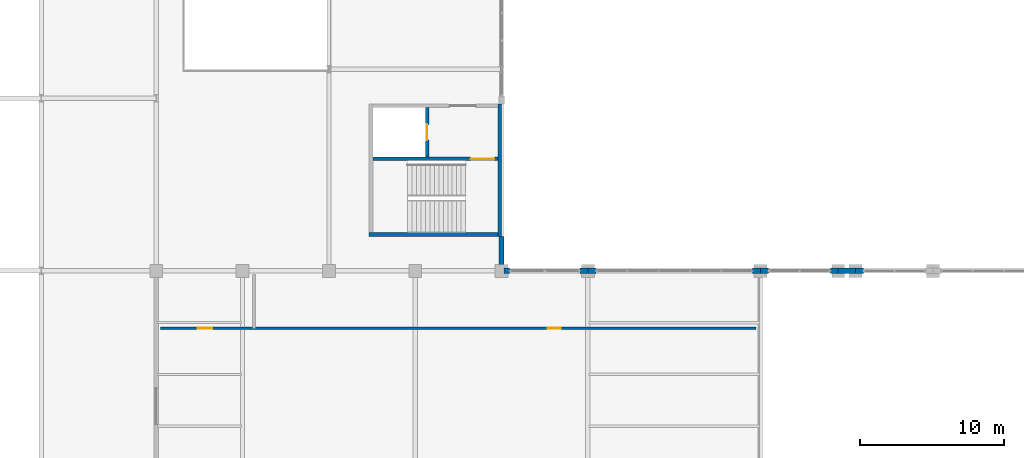
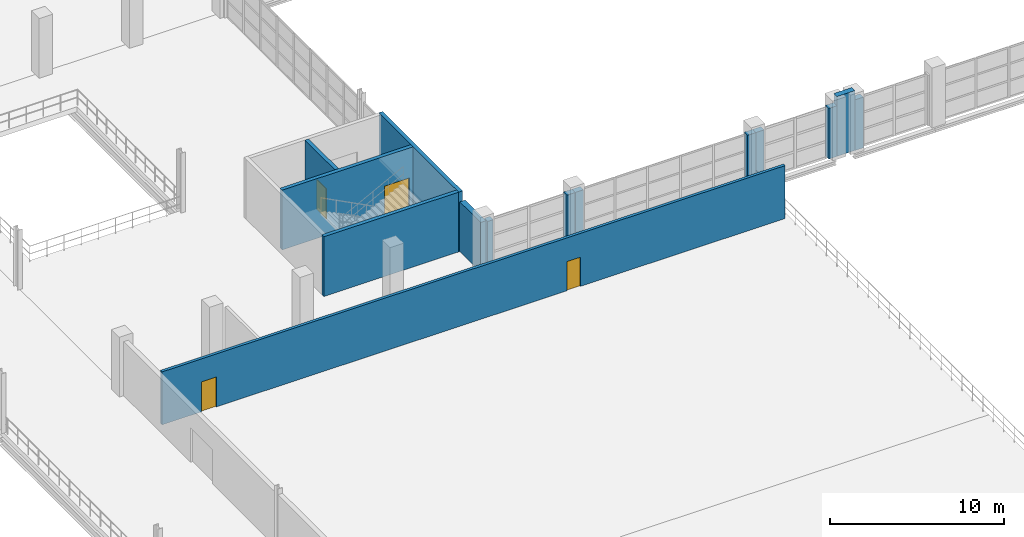
# One storey, part 140 of 158: 14 walls, 4 doors, 4 openings.
"""IFC4 building model written with IfcOpenShell, lengths in metres."""

from ifc_helpers import new_model, si_unit, direction, frame, frame_2d, origin, place, context, subcontext, project, spatial, rectangle, extrude, material, layer, layer_set, type_object, element, fill, save


model = new_model("IFC4")

# Units and contexts
model_context = context("Model", 3, precision=1e-05, world=origin(), true_north=direction((0.0, 1.0)))
body_context = subcontext(model_context, "Body", "Model", "MODEL_VIEW")
ifc_project = project(units=[si_unit("LENGTHUNIT", "METRE"), si_unit("AREAUNIT", "SQUARE_METRE"), si_unit("VOLUMEUNIT", "CUBIC_METRE"), si_unit("PLANEANGLEUNIT", "RADIAN"), si_unit("MASSUNIT", "GRAM", prefix="KILO")], contexts=[model_context])

# Site, building, storey
site_placement = place(None, origin())
site = spatial("IfcSite", under=ifc_project, at=site_placement, CompositionType="ELEMENT")
building_placement = place(site_placement, origin())
building = spatial("IfcBuilding", under=site, at=building_placement, Name="Zilviju Railside Exhibition Hall", CompositionType="ELEMENT")
storey_placement = place(building_placement, frame((0.0, 0.0, 4.199951171875)))
storey = spatial("IfcBuildingStorey", under=building, at=storey_placement, Name="L02", CompositionType="ELEMENT", Elevation=4.199951171875)

# Wall
ifc_material_1 = material(Name="Concrete C35/45", Category="concrete")
ifc_layer_1 = layer(ifc_material_1, 0.25)
ifc_layer_set_1 = layer_set([ifc_layer_1], Name="Concrete C35/45")
wall_type_1 = type_object("IfcWallType", Name="WL-CORE-250", PredefinedType="SHEAR", material=ifc_layer_set_1)
wall_1_placement = place(storey_placement, frame((102.0, 56.52490234375, 0.0), z_axis=(0.0, 0.0, 1.0), x_axis=(-1.0, 0.0, 0.0)))
element("IfcWall", 1, at=wall_1_placement, inside=storey, type_object=wall_type_1, Name="Core C10 Winter Concourse Court Stairwell Outer Wall L02", PredefinedType="SHEAR", context=body_context, shape_type="SweptSolid", body=[
    extrude(rectangle(XDim=9.199951171875, YDim=0.25, at=frame_2d((4.60009765625, 0.0))), origin(), (0.0, 0.0, 1.0), 4.199951171875),
])

# Wall, opening, door
wall_2_placement = place(storey_placement, frame((101.75, 61.77490234375, 0.0), z_axis=(0.0, 0.0, 1.0), x_axis=(-1.0, 0.0, 0.0)))
wall_2 = element("IfcWall", 2, at=wall_2_placement, inside=storey, type_object=wall_type_1, Name="Core C10 Winter Concourse Court Stairwell Partition Wall L02", PredefinedType="SHEAR", context=body_context, shape_type="SweptSolid", body=[
    extrude(rectangle(XDim=8.699951171875, YDim=0.25, at=frame_2d((4.35009765625, 0.0))), origin(), (0.0, 0.0, 1.0), 4.199951171875),
])
opening_1_placement = place(wall_2_placement, frame((0.25, 0.0, 0.0)))
opening_1 = element("IfcOpeningElement", 3, at=opening_1_placement, cuts=wall_2, Name="Opening FD-01", PredefinedType="OPENING", context=body_context, shape_type="SweptSolid", body=[
    extrude(rectangle(XDim=1.64990234375, YDim=2.10009765625, at=frame_2d((0.824951171875, 1.050048828125))), frame((0.0, 0.135009765625, 0.0), z_axis=(0.0, -1.0, 0.0), x_axis=(1.0, 0.0, 0.0)), (0.0, 0.0, 1.0), 0.27001953125),
])
ifc_material_2 = material(Name="Self-closing steel stair enclosure fire door EI 60", Category="steel")
door_type_1 = type_object("IfcDoorType", Name="DR-STAIR-165x210", OperationType="NOTDEFINED", PredefinedType="DOOR", material=ifc_material_2)
door_1_placement = place(opening_1_placement, origin())
door_1 = element("IfcDoor", 4, at=door_1_placement, inside=storey, type_object=door_type_1, Name="Core C10 Winter Concourse Court Protected Stair Door L02", OperationType="SINGLE_SWING_LEFT", OverallHeight=2.10009765625, OverallWidth=1.64990234375, PredefinedType="DOOR", context=body_context, shape_type="SweptSolid", body=[
    extrude(rectangle(XDim=1.64990234375, YDim=2.10009765625, at=frame_2d((0.824951171875, 1.050048828125))), frame((0.0, 0.02490234375, 0.0), z_axis=(0.0, -1.0, 0.0), x_axis=(1.0, 0.0, 0.0)), (0.0, 0.0, 1.0), 0.050048828125),
])
fill(opening_1, door_1)

wall_3_placement = place(storey_placement, frame((96.824951171875, 61.89990234375, 0.0), z_axis=(0.0, 0.0, 1.0), x_axis=(0.0, 1.0, 0.0)))
wall_3 = element("IfcWall", 5, at=wall_3_placement, inside=storey, type_object=wall_type_1, Name="Core C10 Winter Concourse Court Lift Shaft Front Wall L02", PredefinedType="SHEAR", context=body_context, shape_type="SweptSolid", body=[
    extrude(rectangle(XDim=3.4501953125, YDim=0.25, at=frame_2d((1.72509765625, 0.0))), origin(), (0.0, 0.0, 1.0), 4.199951171875),
])
opening_2_placement = place(wall_3_placement, frame((1.175048828125, 0.0, 0.0)))
opening_2 = element("IfcOpeningElement", 6, at=opening_2_placement, cuts=wall_3, Name="Opening LD-01", PredefinedType="OPENING", context=body_context, shape_type="SweptSolid", body=[
    extrude(rectangle(XDim=1.10009765625, YDim=2.10009765625, at=frame_2d((0.550048828125, 1.050048828125))), frame((0.0, 0.135009765625, 0.0), z_axis=(0.0, -1.0, 0.0), x_axis=(1.0, 0.0, 0.0)), (0.0, 0.0, 1.0), 0.27001953125),
])
ifc_material_3 = material(Name="Passenger lift sliding landing door EI 60", Category="wood")
door_type_2 = type_object("IfcDoorType", Name="DR-LIFT-110x210", OperationType="NOTDEFINED", PredefinedType="DOOR", material=ifc_material_3)
door_2_placement = place(opening_2_placement, origin())
door_2 = element("IfcDoor", 7, at=door_2_placement, inside=storey, type_object=door_type_2, Name="Lift Landing Door LP-04 L02", OperationType="SLIDING_TO_RIGHT", OverallHeight=2.10009765625, OverallWidth=1.10009765625, PredefinedType="DOOR", context=body_context, shape_type="SweptSolid", body=[
    extrude(rectangle(XDim=1.10009765625, YDim=2.10009765625, at=frame_2d((0.550048828125, 1.050048828125))), frame((0.0, 0.02490234375, 0.0), z_axis=(0.0, -1.0, 0.0), x_axis=(1.0, 0.0, 0.0)), (0.0, 0.0, 1.0), 0.050048828125),
])
fill(opening_2, door_2)

# Walls
ifc_material_4 = material(Name="Concrete C40/50", Category="concrete")
ifc_layer_2 = layer(ifc_material_4, 0.25)
ifc_layer_set_2 = layer_set([ifc_layer_2], Name="Concrete C40/50")
wall_type_2 = type_object("IfcWallType", Name="WL-CORE-300", PredefinedType="SHEAR", material=ifc_layer_set_2)
wall_4_placement = place(storey_placement, frame((101.875, 65.60009765625, 0.0), z_axis=(0.0, 0.0, 1.0), x_axis=(0.0, -1.0, 0.0)))
element("IfcWall", 8, at=wall_4_placement, inside=storey, type_object=wall_type_2, Name="Core C10 Winter Concourse Court Exterior Core Wall L02", PredefinedType="SHEAR", context=body_context, shape_type="SweptSolid", body=[
    extrude(rectangle(XDim=9.2001953125, YDim=0.25, at=frame_2d((4.60009765625, 0.0))), origin(), (0.0, 0.0, 1.0), 4.199951171875),
])
ifc_material_5 = material(Name="Insulated courtyard masonry wall", Category="masonry")
ifc_layer_3 = layer(ifc_material_5, 0.360107421875)
ifc_layer_set_3 = layer_set([ifc_layer_3], Name="Insulated courtyard masonry wall")
wall_type_3 = type_object("IfcWallType", Name="WL-EXT-360", PredefinedType="SOLIDWALL", material=ifc_layer_set_3)
wall_5_placement = place(storey_placement, frame((102.0, 56.39990234375, 0.0), z_axis=(0.0, 0.0, 1.0), x_axis=(0.0, -1.0, 0.0)))
element("IfcWall", 9, at=wall_5_placement, inside=storey, type_object=wall_type_3, Name="Exterior Facade Wall L02 East 0405", PredefinedType="SOLIDWALL", context=body_context, shape_type="SweptSolid", body=[
    extrude(rectangle(XDim=2.39990234375, YDim=0.360107421875, at=frame_2d((1.199951171875, 0.0))), origin(), (0.0, 0.0, 1.0), 3.5),
])
wall_6_placement = place(storey_placement, frame((125.39990234375, 54.0, 0.0), z_axis=(0.0, 0.0, 1.0), x_axis=(1.0, 0.0, 0.0)))
element("IfcWall", 10, at=wall_6_placement, inside=storey, type_object=wall_type_3, Name="Exterior Facade Wall L02 North 0585", PredefinedType="SOLIDWALL", context=body_context, shape_type="SweptSolid", body=[
    extrude(rectangle(XDim=1.2001953125, YDim=0.360107421875, at=frame_2d((0.60009765625, 0.0))), origin(), (0.0, 0.0, 1.0), 4.199951171875),
])
ifc_material_6 = material(Name="Insulated cream-brick upper facade wall", Category="masonry")
ifc_layer_4 = layer(ifc_material_6, 0.3798828125)
ifc_layer_set_4 = layer_set([ifc_layer_4], Name="Insulated cream-brick upper facade wall")
wall_type_4 = type_object("IfcWallType", Name="WL-EXT-380", PredefinedType="SOLIDWALL", material=ifc_layer_set_4)
wall_7_placement = place(storey_placement, frame((102.181884765625, 54.0, 0.0), z_axis=(0.0, 0.0, 1.0), x_axis=(1.0, 0.0, 0.0)))
element("IfcWall", 11, at=wall_7_placement, inside=storey, type_object=wall_type_4, Name="Curtain-Wall Jamb Closure Pier L02 0065", PredefinedType="SOLIDWALL", context=body_context, shape_type="SweptSolid", body=[
    extrude(rectangle(XDim=0.3681640625, YDim=0.3798828125, at=frame_2d((0.18408203125, 0.0))), origin(), (0.0, 0.0, 1.0), 3.56005859375),
])
wall_8_placement = place(storey_placement, frame((107.449951171875, 54.0, 0.0), z_axis=(0.0, 0.0, 1.0), x_axis=(1.0, 0.0, 0.0)))
element("IfcWall", 12, at=wall_8_placement, inside=storey, type_object=wall_type_4, Name="Curtain-Wall Jamb Closure Pier L02 0066", PredefinedType="SOLIDWALL", context=body_context, shape_type="SweptSolid", body=[
    extrude(rectangle(XDim=0.550048828125, YDim=0.3798828125, at=frame_2d((0.27490234375, 0.0))), origin(), (0.0, 0.0, 1.0), 3.56005859375),
])
wall_9_placement = place(storey_placement, frame((108.001953125, 54.0, 0.0), z_axis=(0.0, 0.0, 1.0), x_axis=(1.0, 0.0, 0.0)))
element("IfcWall", 13, at=wall_9_placement, inside=storey, type_object=wall_type_4, Name="Curtain-Wall Jamb Closure Pier L02 0067", PredefinedType="SOLIDWALL", context=body_context, shape_type="SweptSolid", body=[
    extrude(rectangle(XDim=0.548095703125, YDim=0.3798828125, at=frame_2d((0.27392578125, 0.0))), origin(), (0.0, 0.0, 1.0), 3.56005859375),
])
wall_10_placement = place(storey_placement, frame((119.449951171875, 54.0, 0.0), z_axis=(0.0, 0.0, 1.0), x_axis=(1.0, 0.0, 0.0)))
element("IfcWall", 14, at=wall_10_placement, inside=storey, type_object=wall_type_4, Name="Curtain-Wall Jamb Closure Pier L02 0068", PredefinedType="SOLIDWALL", context=body_context, shape_type="SweptSolid", body=[
    extrude(rectangle(XDim=0.550048828125, YDim=0.3798828125, at=frame_2d((0.27490234375, 0.0))), origin(), (0.0, 0.0, 1.0), 3.56005859375),
])
wall_11_placement = place(storey_placement, frame((120.001953125, 54.0, 0.0), z_axis=(0.0, 0.0, 1.0), x_axis=(1.0, 0.0, 0.0)))
element("IfcWall", 15, at=wall_11_placement, inside=storey, type_object=wall_type_4, Name="Curtain-Wall Jamb Closure Pier L02 0069", PredefinedType="SOLIDWALL", context=body_context, shape_type="SweptSolid", body=[
    extrude(rectangle(XDim=0.548095703125, YDim=0.3798828125, at=frame_2d((0.27392578125, 0.0))), origin(), (0.0, 0.0, 1.0), 3.56005859375),
])
for number, where, z_axis, x_axis, name in (
    (16, (124.85009765625, 54.0, 0.0), (0.0, 0.0, 1.0), (1.0, 0.0, 0.0), "Curtain-Wall Jamb Closure Pier L02 0070"),
    (17, (126.60205078125, 54.0, 0.0), (0.0, 0.0, 1.0), (1.0, 0.0, 0.0), "Curtain-Wall Jamb Closure Pier L02 0071"),
):
    element("IfcWall", number, at=place(storey_placement, frame(where, z_axis=z_axis, x_axis=x_axis)), inside=storey, type_object=wall_type_4, Name=name, PredefinedType="SOLIDWALL", context=body_context, shape_type="SweptSolid", body=[
        extrude(rectangle(XDim=0.5478515625, YDim=0.3798828125, at=frame_2d((0.27392578125, 0.0))), origin(), (0.0, 0.0, 1.0), 3.56005859375),
    ])

# Wall, openings, doors
ifc_material_7 = material(Name="Accessible WC sanitary chase wall", Category="masonry")
ifc_layer_5 = layer(ifc_material_7, 0.18994140625)
ifc_layer_set_5 = layer_set([ifc_layer_5], Name="Accessible WC sanitary chase wall")
wall_type_5 = type_object("IfcWallType", Name="WL-PLMB-190", PredefinedType="PLUMBINGWALL", material=ifc_layer_set_5)
wall_12_placement = place(storey_placement, frame((78.300048828125, 50.0, 0.0), z_axis=(0.0, 0.0, 1.0), x_axis=(1.0, 0.0, 0.0)))
wall_12 = element("IfcWall", 18, at=wall_12_placement, inside=storey, type_object=wall_type_5, Name="South Gallery West WC Wall", PredefinedType="PLUMBINGWALL", context=body_context, shape_type="SweptSolid", body=[
    extrude(rectangle(XDim=41.39990234375, YDim=0.18994140625, at=frame_2d((20.699951171875, 0.0))), origin(), (0.0, 0.0, 1.0), 3.719970703125),
])
opening_3_placement = place(wall_12_placement, frame((2.60009765625, 0.0, 0.0)))
opening_3 = element("IfcOpeningElement", 19, at=opening_3_placement, cuts=wall_12, Name="Opening WD-01", PredefinedType="OPENING", context=body_context, shape_type="SweptSolid", body=[
    extrude(rectangle(XDim=1.0, YDim=2.10009765625, at=frame_2d((0.5, 1.050048828125))), frame((0.0, 0.10498046875, 0.0), z_axis=(0.0, -1.0, 0.0), x_axis=(1.0, 0.0, 0.0)), (0.0, 0.0, 1.0), 0.2099609375),
])
opening_4_placement = place(wall_12_placement, frame((26.909912109375, 0.0, 0.0)))
opening_4 = element("IfcOpeningElement", 20, at=opening_4_placement, cuts=wall_12, Name="Opening WD-02", PredefinedType="OPENING", context=body_context, shape_type="SweptSolid", body=[
    extrude(rectangle(XDim=0.89990234375, YDim=2.050048828125, at=frame_2d((0.449951171875, 1.02490234375))), frame((0.0, 0.10498046875, 0.0), z_axis=(0.0, -1.0, 0.0), x_axis=(1.0, 0.0, 0.0)), (0.0, 0.0, 1.0), 0.2099609375),
])
ifc_material_8 = material(Name="Accessible WC outward-opening door", Category="wood")
door_type_3 = type_object("IfcDoorType", Name="DR-WC-ACC-100x210", OperationType="NOTDEFINED", PredefinedType="DOOR", material=ifc_material_8)
door_3_placement = place(opening_3_placement, origin())
door_3 = element("IfcDoor", 21, at=door_3_placement, inside=storey, type_object=door_type_3, Name="South Gallery West WC Wall Door 1", OperationType="SINGLE_SWING_LEFT", OverallHeight=2.10009765625, OverallWidth=1.0, PredefinedType="DOOR", context=body_context, shape_type="SweptSolid", body=[
    extrude(rectangle(XDim=1.0, YDim=2.10009765625, at=frame_2d((0.5, 1.050048828125))), frame((0.0, 0.02490234375, 0.0), z_axis=(0.0, -1.0, 0.0), x_axis=(1.0, 0.0, 0.0)), (0.0, 0.0, 1.0), 0.050048828125),
])
fill(opening_3, door_3)
ifc_material_9 = material(Name="Sanitary washroom timber door", Category="wood")
door_type_4 = type_object("IfcDoorType", Name="DR-WC-STD-090x205", OperationType="NOTDEFINED", PredefinedType="DOOR", material=ifc_material_9)
door_4_placement = place(opening_4_placement, origin())
door_4 = element("IfcDoor", 22, at=door_4_placement, inside=storey, type_object=door_type_4, Name="South Gallery West WC Wall Door 2", OperationType="SINGLE_SWING_RIGHT", OverallHeight=2.050048828125, OverallWidth=0.89990234375, PredefinedType="DOOR", context=body_context, shape_type="SweptSolid", body=[
    extrude(rectangle(XDim=0.89990234375, YDim=2.050048828125, at=frame_2d((0.449951171875, 1.02490234375))), frame((0.0, 0.02490234375, 0.0), z_axis=(0.0, -1.0, 0.0), x_axis=(1.0, 0.0, 0.0)), (0.0, 0.0, 1.0), 0.050048828125),
])
fill(opening_4, door_4)

save(model, "model.ifc")
